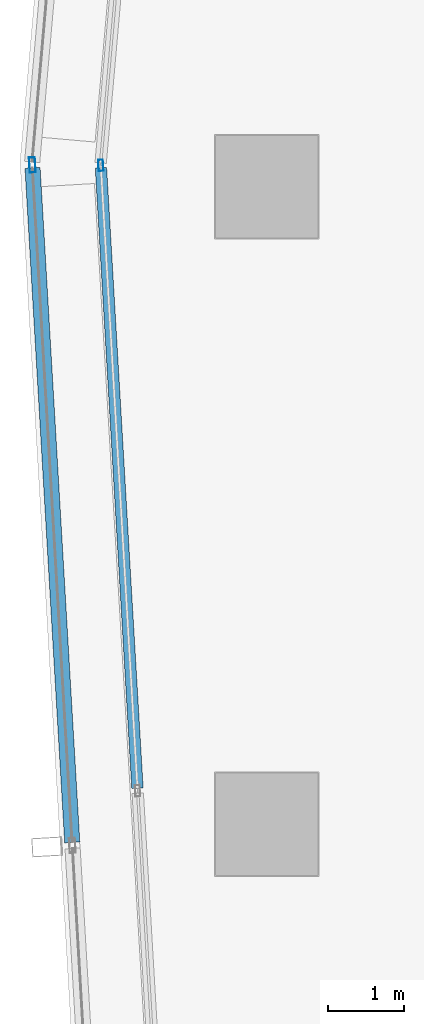
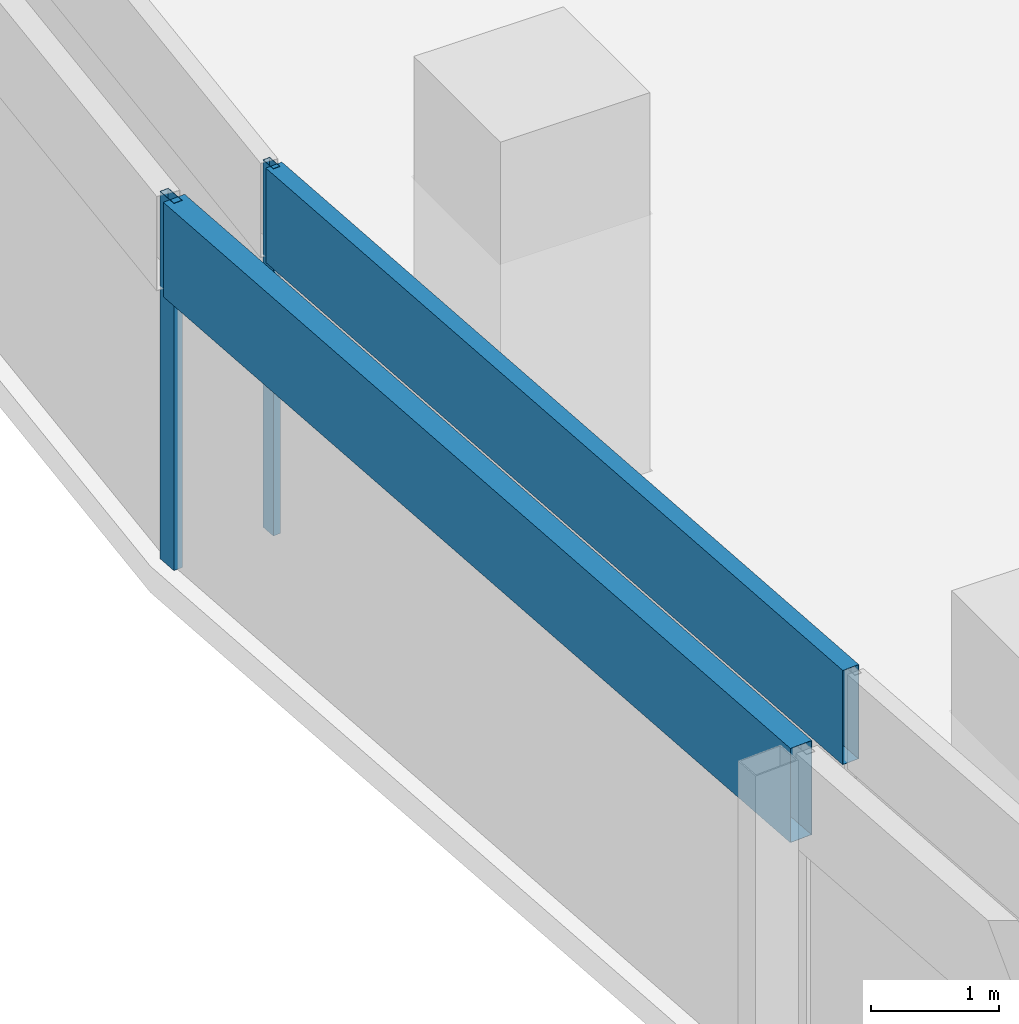
# One storey, part 9 of 40: 4 members, 2 elements without a shape of their own.
"""IFC4 building model written with IfcOpenShell, lengths in metres."""

from ifc_helpers import new_model, si_unit, direction, frame, origin, origin_2d, place, context, subcontext, project, spatial, hollow_rectangle, extrude, material, material_profile, profile_set, type_object, element, aggregate, save


model = new_model("IFC4")

# Units and contexts
model_context = context("Model", 3, precision=1e-05, world=origin(), true_north=direction((0.0, 1.0)))
body_context = subcontext(model_context, "Body", "Model", "MODEL_VIEW")
ifc_project = project(units=[si_unit("LENGTHUNIT", "METRE"), si_unit("AREAUNIT", "SQUARE_METRE"), si_unit("VOLUMEUNIT", "CUBIC_METRE"), si_unit("PLANEANGLEUNIT", "RADIAN"), si_unit("MASSUNIT", "GRAM", prefix="KILO")], contexts=[model_context])

# Site, building, storey
site_placement = place(None, origin())
site = spatial("IfcSite", under=ifc_project, at=site_placement, CompositionType="ELEMENT")
building_placement = place(site_placement, origin())
building = spatial("IfcBuilding", under=site, at=building_placement, Name="Rekha Terrace Tower", CompositionType="ELEMENT")
storey_placement = place(building_placement, frame((0.0, 0.0, 210.199951171875)))
storey = spatial("IfcBuildingStorey", under=building, at=storey_placement, Name="L53", CompositionType="ELEMENT", Elevation=210.199951171875)

# Curtain wall, members
ifc_material_1 = material(Name="Aluminium framing", Category="aluminium")
curtain_wall_type_1 = type_object("IfcCurtainWallType", Name="CW1 double skin inner glazing", PredefinedType="USERDEFINED", material=ifc_material_1)
curtain_wall_1_placement = place(storey_placement, origin())
curtain_wall_1 = element("IfcCurtainWall", 1, at=curtain_wall_1_placement, inside=storey, type_object=curtain_wall_type_1, Name="CW1 double skin inner glazing", ObjectType="DOUBLE SKIN INNER GLAZING", PredefinedType="USERDEFINED")
ifc_material_2 = material(Name="Aluminium mullion section", Category="aluminium")
ifc_material_profile_1 = material_profile(ifc_material_2, hollow_rectangle(XDim=0.06494140625, YDim=0.14990234375, WallThickness=0.00390625, at=origin_2d()), Name="AL RHS 65x150")
ifc_profile_set_1 = profile_set([ifc_material_profile_1], Name="Aluminium mullion section")
member_type_1 = type_object("IfcMemberType", Name="CW1 mullion RHS 65 x 150", PredefinedType="MULLION", material=ifc_profile_set_1)
member_1_placement = place(storey_placement, frame((6.214599609375, 42.281982421875, 0.0), z_axis=(0.0, 0.0, 1.0), x_axis=(0.998271839269, 0.058765082516, 0.0)))
member_1 = element("IfcMember", 2, at=member_1_placement, type_object=member_type_1, Name="CW1 mullion 1", PredefinedType="MULLION", context=body_context, shape_type="SweptSolid", body=[
    extrude(hollow_rectangle(XDim=0.06494140625, YDim=0.14990234375, WallThickness=0.00390625, at=origin_2d()), origin(), (0.0, 0.0, 1.0), 3.5),
])
ifc_material_3 = material(Name="Insulated aluminium spandrel box", Category="aluminium")
ifc_material_profile_2 = material_profile(ifc_material_3, hollow_rectangle(XDim=0.14990234375, YDim=0.89990234375, WallThickness=0.0029296875, at=origin_2d()), Name="AL SPANDREL BOX 150x900")
ifc_profile_set_2 = profile_set([ifc_material_profile_2], Name="Insulated aluminium spandrel box")
member_type_2 = type_object("IfcMemberType", Name="CW1 spandrel transom 150 x 900", PredefinedType="USERDEFINED", material=ifc_profile_set_2)
member_2_placement = place(storey_placement, frame((6.216552734375, 42.24951171875, 3.050048828125), z_axis=(0.058777934282, -0.998271082643, 0.0), x_axis=(0.998271082643, 0.058777934282, 0.0)))
member_2 = element("IfcMember", 3, at=member_2_placement, type_object=member_type_2, Name="CW1 spandrel transom 1", ObjectType="TRANSOM", PredefinedType="USERDEFINED", context=body_context, shape_type="SweptSolid", body=[
    extrude(hollow_rectangle(XDim=0.14990234375, YDim=0.89990234375, WallThickness=0.0029296875, at=origin_2d()), origin(), (0.0, 0.0, 1.0), 8.19091796875),
])
aggregate(curtain_wall_1, [member_1, member_2])

curtain_wall_type_2 = type_object("IfcCurtainWallType", Name="CW2 double skin outer glazing", PredefinedType="USERDEFINED", material=ifc_material_1)
curtain_wall_2_placement = place(storey_placement, origin())
curtain_wall_2 = element("IfcCurtainWall", 4, at=curtain_wall_2_placement, inside=storey, type_object=curtain_wall_type_2, Name="CW2 double skin outer glazing", ObjectType="DOUBLE SKIN OUTER GLAZING", PredefinedType="USERDEFINED")
ifc_material_profile_3 = material_profile(ifc_material_2, hollow_rectangle(XDim=0.080078125, YDim=0.199951171875, WallThickness=0.00390625, at=origin_2d()), Name="AL RHS 80x200")
ifc_profile_set_3 = profile_set([ifc_material_profile_3], Name="Aluminium mullion section")
member_type_3 = type_object("IfcMemberType", Name="CW2 mullion RHS 80 x 200", PredefinedType="MULLION", material=ifc_profile_set_3)
member_3_placement = place(storey_placement, frame((5.312744140625, 42.287841796875, 0.0), z_axis=(0.0, 0.0, 1.0), x_axis=(0.99827183927, 0.058765082499, 0.0)))
member_3 = element("IfcMember", 5, at=member_3_placement, type_object=member_type_3, Name="CW2 mullion 1", PredefinedType="MULLION", context=body_context, shape_type="SweptSolid", body=[
    extrude(hollow_rectangle(XDim=0.080078125, YDim=0.199951171875, WallThickness=0.00390625, at=origin_2d()), origin(), (0.0, 0.0, 1.0), 3.5),
])
ifc_material_profile_4 = material_profile(ifc_material_3, hollow_rectangle(XDim=0.199951171875, YDim=0.89990234375, WallThickness=0.0029296875, at=origin_2d()), Name="AL SPANDREL BOX 200x900")
ifc_profile_set_4 = profile_set([ifc_material_profile_4], Name="Insulated aluminium spandrel box")
member_type_4 = type_object("IfcMemberType", Name="CW2 spandrel transom 200 x 900", PredefinedType="USERDEFINED", material=ifc_profile_set_4)
member_4_placement = place(storey_placement, frame((5.315185546875, 42.247802734375, 3.050048828125), z_axis=(0.058762207171, -0.998272008527, 0.0), x_axis=(0.998272008527, 0.058762207171, 0.0)))
member_4 = element("IfcMember", 6, at=member_4_placement, type_object=member_type_4, Name="CW2 spandrel transom 1", ObjectType="TRANSOM", PredefinedType="USERDEFINED", context=body_context, shape_type="SweptSolid", body=[
    extrude(hollow_rectangle(XDim=0.199951171875, YDim=0.89990234375, WallThickness=0.0029296875, at=origin_2d()), origin(), (0.0, 0.0, 1.0), 8.903564453125),
])
aggregate(curtain_wall_2, [member_3, member_4])

save(model, "model.ifc")
